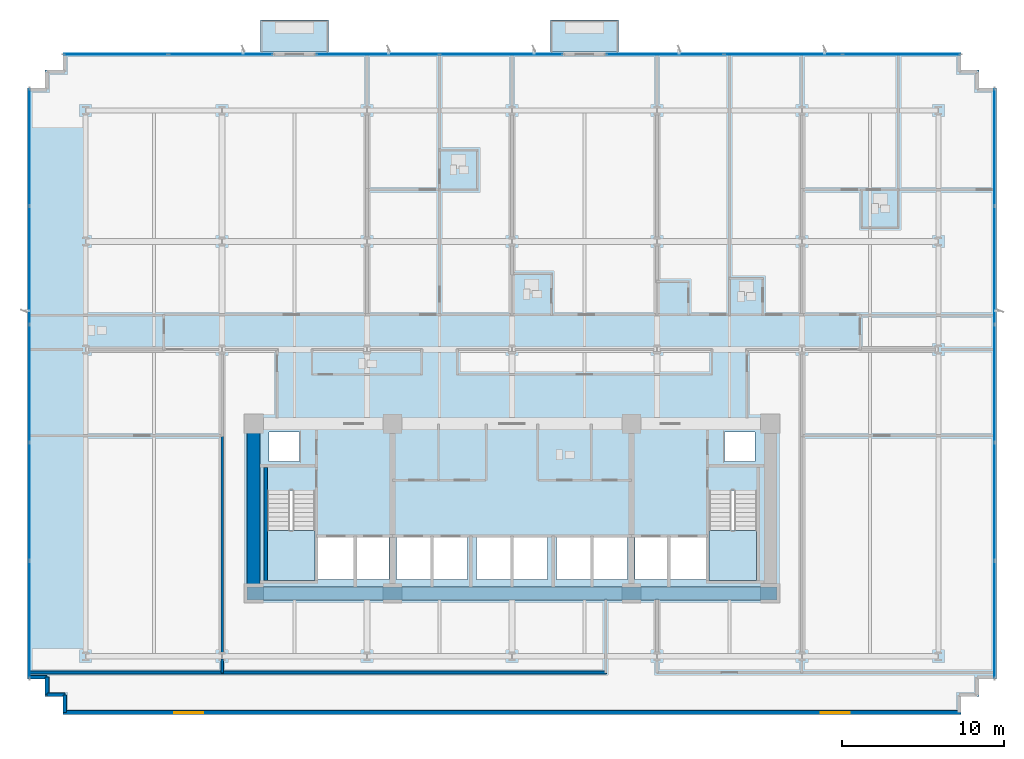
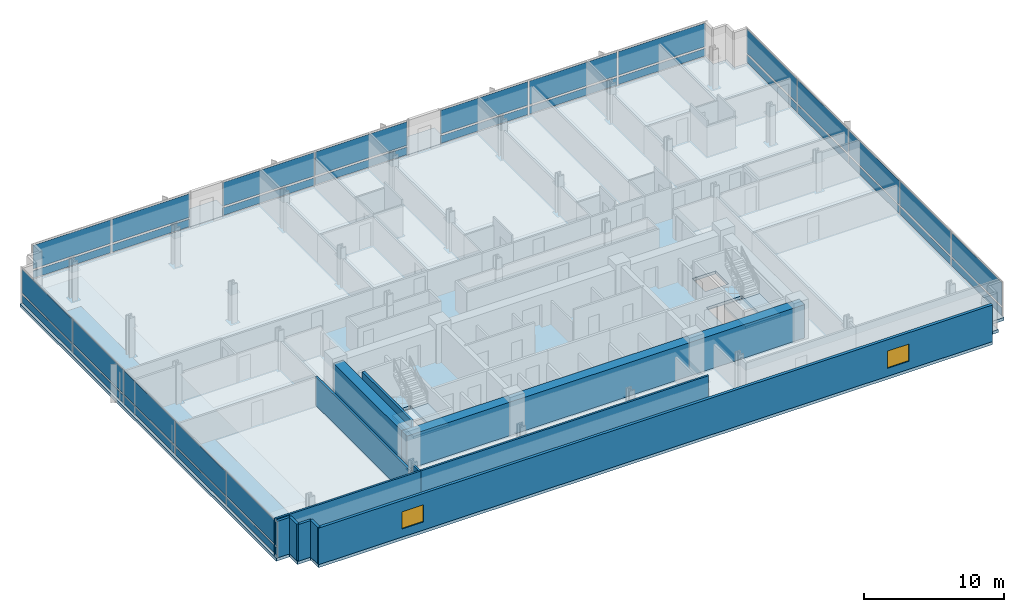
# One storey, part 7 of 17: 34 plates, 12 walls, 5 slabs, 2 windows, 2 openings, 7 elements without a shape of their own.
"""IFC4 building model written with IfcOpenShell, lengths in metres."""

from ifc_helpers import new_model, si_unit, direction, frame, frame_2d, origin, origin_2d, place, context, subcontext, project, spatial, polyline, rectangle, outline, extrude, material, layer, layer_set, type_object, element, fill, aggregate, save


model = new_model("IFC4")

# Units and contexts
model_context = context("Model", 3, precision=1e-05, world=origin(), true_north=direction((0.0, 1.0)))
body_context = subcontext(model_context, "Body", "Model", "MODEL_VIEW")
ifc_project = project(units=[si_unit("LENGTHUNIT", "METRE"), si_unit("AREAUNIT", "SQUARE_METRE"), si_unit("VOLUMEUNIT", "CUBIC_METRE"), si_unit("PLANEANGLEUNIT", "RADIAN"), si_unit("MASSUNIT", "GRAM", prefix="KILO")], contexts=[model_context])

# Site, building, storey
site_placement = place(None, origin())
site = spatial("IfcSite", under=ifc_project, at=site_placement, CompositionType="ELEMENT")
building_placement = place(site_placement, origin())
building = spatial("IfcBuilding", under=site, at=building_placement, Name="Solmavex Isthmus Hotel", CompositionType="ELEMENT")
storey_placement = place(building_placement, frame((0.0, 0.0, 47.10009765625)))
storey = spatial("IfcBuildingStorey", under=building, at=storey_placement, Name="L12", CompositionType="ELEMENT", Elevation=47.10009765625)

# Curtain wall, plates
ifc_material_1 = material(Name="Aluminium alloy 6063-T6", Category="aluminium")
curtain_wall_type = type_object("IfcCurtainWallType", Name="CW-SYS-02", PredefinedType="NOTDEFINED", material=ifc_material_1)
curtain_wall_1_placement = place(storey_placement, origin())
curtain_wall_1 = element("IfcCurtainWall", 1, at=curtain_wall_1_placement, inside=storey, type_object=curtain_wall_type, Name="Stick Curtain Wall CWL-L12-N1", PredefinedType="NOTDEFINED")
ifc_material_2 = material(Name="Clear low-E laminated glass", Category="glass")
ifc_layer_1 = layer(ifc_material_2, 0.031982421875)
ifc_layer_set_1 = layer_set([ifc_layer_1], Name="Clear low-E laminated glass")
plate_type = type_object("IfcPlateType", Name="CW-SYS-02-PNL", PredefinedType="CURTAIN_PANEL", material=ifc_layer_set_1)
plate_1_placement = place(storey_placement, frame((-24.522216796875, 20.3798828125, 0.16015625), z_axis=(0.0, 0.0, 1.0), x_axis=(1.0, 0.0, 0.0)))
plate_1 = element("IfcPlate", 2, at=plate_1_placement, type_object=plate_type, Name="CW-02 panel 1.1", PredefinedType="CURTAIN_PANEL", context=body_context, shape_type="SweptSolid", body=[
    extrude(rectangle(XDim=6.405517578125, YDim=0.031982421875, at=origin_2d()), origin(), (0.0, 0.0, 1.0), 0.659912109375),
])
plate_2_placement = place(storey_placement, frame((-24.522216796875, 20.3798828125, 0.97998046875), z_axis=(0.0, 0.0, 1.0), x_axis=(1.0, 0.0, 0.0)))
plate_2 = element("IfcPlate", 3, at=plate_2_placement, type_object=plate_type, Name="CW-02 panel 1.2", PredefinedType="CURTAIN_PANEL", context=body_context, shape_type="SweptSolid", body=[
    extrude(rectangle(XDim=6.405517578125, YDim=0.031982421875, at=origin_2d()), origin(), (0.0, 0.0, 1.0), 2.050048828125),
])
plate_3_placement = place(storey_placement, frame((-18.041748046875, 20.3798828125, 0.16015625), z_axis=(0.0, 0.0, 1.0), x_axis=(1.0, 0.0, 0.0)))
plate_3 = element("IfcPlate", 4, at=plate_3_placement, type_object=plate_type, Name="CW-02 panel 2.1", PredefinedType="CURTAIN_PANEL", context=body_context, shape_type="SweptSolid", body=[
    extrude(rectangle(XDim=6.405517578125, YDim=0.031982421875, at=origin_2d()), origin(), (0.0, 0.0, 1.0), 0.659912109375),
])
plate_4_placement = place(storey_placement, frame((-18.041748046875, 20.3798828125, 0.97998046875), z_axis=(0.0, 0.0, 1.0), x_axis=(1.0, 0.0, 0.0)))
plate_4 = element("IfcPlate", 5, at=plate_4_placement, type_object=plate_type, Name="CW-02 panel 2.2", PredefinedType="CURTAIN_PANEL", context=body_context, shape_type="SweptSolid", body=[
    extrude(rectangle(XDim=6.405517578125, YDim=0.031982421875, at=origin_2d()), origin(), (0.0, 0.0, 1.0), 2.050048828125),
])
aggregate(curtain_wall_1, [plate_1, plate_2, plate_3, plate_4])

curtain_wall_2_placement = place(storey_placement, origin())
curtain_wall_2 = element("IfcCurtainWall", 6, at=curtain_wall_2_placement, inside=storey, type_object=curtain_wall_type, Name="Stick Curtain Wall CWL-L12-N2", PredefinedType="NOTDEFINED")
plate_5_placement = place(storey_placement, frame((-8.30712890625, 20.3798828125, 0.16015625), z_axis=(0.0, 0.0, 1.0), x_axis=(1.0, 0.0, 0.0)))
plate_5 = element("IfcPlate", 7, at=plate_5_placement, type_object=plate_type, Name="CW-02 panel 1.1", PredefinedType="CURTAIN_PANEL", context=body_context, shape_type="SweptSolid", body=[
    extrude(rectangle(XDim=7.5634765625, YDim=0.031982421875, at=origin_2d()), origin(), (0.0, 0.0, 1.0), 0.659912109375),
])
plate_6_placement = place(storey_placement, frame((-8.30712890625, 20.3798828125, 0.97998046875), z_axis=(0.0, 0.0, 1.0), x_axis=(1.0, 0.0, 0.0)))
plate_6 = element("IfcPlate", 8, at=plate_6_placement, type_object=plate_type, Name="CW-02 panel 1.2", PredefinedType="CURTAIN_PANEL", context=body_context, shape_type="SweptSolid", body=[
    extrude(rectangle(XDim=7.5634765625, YDim=0.031982421875, at=origin_2d()), origin(), (0.0, 0.0, 1.0), 2.050048828125),
])
plate_7_placement = place(storey_placement, frame((-0.668701171875, 20.3798828125, 0.16015625), z_axis=(0.0, 0.0, 1.0), x_axis=(1.0, 0.0, 0.0)))
plate_7 = element("IfcPlate", 9, at=plate_7_placement, type_object=plate_type, Name="CW-02 panel 2.1", PredefinedType="CURTAIN_PANEL", context=body_context, shape_type="SweptSolid", body=[
    extrude(rectangle(XDim=7.5634765625, YDim=0.031982421875, at=origin_2d()), origin(), (0.0, 0.0, 1.0), 0.659912109375),
])
plate_8_placement = place(storey_placement, frame((-0.668701171875, 20.3798828125, 0.97998046875), z_axis=(0.0, 0.0, 1.0), x_axis=(1.0, 0.0, 0.0)))
plate_8 = element("IfcPlate", 10, at=plate_8_placement, type_object=plate_type, Name="CW-02 panel 2.2", PredefinedType="CURTAIN_PANEL", context=body_context, shape_type="SweptSolid", body=[
    extrude(rectangle(XDim=7.5634765625, YDim=0.031982421875, at=origin_2d()), origin(), (0.0, 0.0, 1.0), 2.050048828125),
])
aggregate(curtain_wall_2, [plate_5, plate_6, plate_7, plate_8])

curtain_wall_3_placement = place(storey_placement, origin())
curtain_wall_3 = element("IfcCurtainWall", 11, at=curtain_wall_3_placement, inside=storey, type_object=curtain_wall_type, Name="Stick Curtain Wall CWL-L12-N3", PredefinedType="NOTDEFINED")
plate_9_placement = place(storey_placement, frame((9.475341796875, 20.3798828125, 0.16015625), z_axis=(0.0, 0.0, 1.0), x_axis=(1.0, 0.0, 0.0)))
plate_9 = element("IfcPlate", 12, at=plate_9_placement, type_object=plate_type, Name="CW-02 panel 1.1", PredefinedType="CURTAIN_PANEL", context=body_context, shape_type="SweptSolid", body=[
    extrude(rectangle(XDim=7.224853515625, YDim=0.031982421875, at=origin_2d()), origin(), (0.0, 0.0, 1.0), 0.659912109375),
])
plate_10_placement = place(storey_placement, frame((9.475341796875, 20.3798828125, 0.97998046875), z_axis=(0.0, 0.0, 1.0), x_axis=(1.0, 0.0, 0.0)))
plate_10 = element("IfcPlate", 13, at=plate_10_placement, type_object=plate_type, Name="CW-02 panel 1.2", PredefinedType="CURTAIN_PANEL", context=body_context, shape_type="SweptSolid", body=[
    extrude(rectangle(XDim=7.224853515625, YDim=0.031982421875, at=origin_2d()), origin(), (0.0, 0.0, 1.0), 2.050048828125),
])
plate_11_placement = place(storey_placement, frame((16.7939453125, 20.3798828125, 0.16015625), z_axis=(0.0, 0.0, 1.0), x_axis=(1.0, 0.0, 0.0)))
plate_11 = element("IfcPlate", 14, at=plate_11_placement, type_object=plate_type, Name="CW-02 panel 2.1", PredefinedType="CURTAIN_PANEL", context=body_context, shape_type="SweptSolid", body=[
    extrude(rectangle(XDim=7.262451171875, YDim=0.031982421875, at=origin_2d()), origin(), (0.0, 0.0, 1.0), 0.659912109375),
])
plate_12_placement = place(storey_placement, frame((16.7939453125, 20.3798828125, 0.97998046875), z_axis=(0.0, 0.0, 1.0), x_axis=(1.0, 0.0, 0.0)))
plate_12 = element("IfcPlate", 15, at=plate_12_placement, type_object=plate_type, Name="CW-02 panel 2.2", PredefinedType="CURTAIN_PANEL", context=body_context, shape_type="SweptSolid", body=[
    extrude(rectangle(XDim=7.262451171875, YDim=0.031982421875, at=origin_2d()), origin(), (0.0, 0.0, 1.0), 2.050048828125),
])
plate_13_placement = place(storey_placement, frame((24.112548828125, 20.3798828125, 0.16015625), z_axis=(0.0, 0.0, 1.0), x_axis=(1.0, 0.0, 0.0)))
plate_13 = element("IfcPlate", 16, at=plate_13_placement, type_object=plate_type, Name="CW-02 panel 3.1", PredefinedType="CURTAIN_PANEL", context=body_context, shape_type="SweptSolid", body=[
    extrude(rectangle(XDim=7.224853515625, YDim=0.031982421875, at=origin_2d()), origin(), (0.0, 0.0, 1.0), 0.659912109375),
])
plate_14_placement = place(storey_placement, frame((24.112548828125, 20.3798828125, 0.97998046875), z_axis=(0.0, 0.0, 1.0), x_axis=(1.0, 0.0, 0.0)))
plate_14 = element("IfcPlate", 17, at=plate_14_placement, type_object=plate_type, Name="CW-02 panel 3.2", PredefinedType="CURTAIN_PANEL", context=body_context, shape_type="SweptSolid", body=[
    extrude(rectangle(XDim=7.224853515625, YDim=0.031982421875, at=origin_2d()), origin(), (0.0, 0.0, 1.0), 2.050048828125),
])
aggregate(curtain_wall_3, [plate_9, plate_10, plate_11, plate_12, plate_13, plate_14])

curtain_wall_4_placement = place(storey_placement, origin())
curtain_wall_4 = element("IfcCurtainWall", 18, at=curtain_wall_4_placement, inside=storey, type_object=curtain_wall_type, Name="Stick Curtain Wall CWL-L12-W1", PredefinedType="NOTDEFINED")
plate_15_placement = place(storey_placement, frame((-29.8798828125, -14.621337890625, 0.16015625), z_axis=(0.0, 0.0, 1.0), x_axis=(0.0, 1.0, 0.0)))
plate_15 = element("IfcPlate", 19, at=plate_15_placement, type_object=plate_type, Name="CW-02 panel 1.1", PredefinedType="CURTAIN_PANEL", context=body_context, shape_type="SweptSolid", body=[
    extrude(rectangle(XDim=7.20751953125, YDim=0.031982421875, at=origin_2d()), origin(), (0.0, 0.0, 1.0), 0.659912109375),
])
plate_16_placement = place(storey_placement, frame((-29.8798828125, -14.621337890625, 0.97998046875), z_axis=(0.0, 0.0, 1.0), x_axis=(0.0, 1.0, 0.0)))
plate_16 = element("IfcPlate", 20, at=plate_16_placement, type_object=plate_type, Name="CW-02 panel 1.2", PredefinedType="CURTAIN_PANEL", context=body_context, shape_type="SweptSolid", body=[
    extrude(rectangle(XDim=7.20751953125, YDim=0.031982421875, at=origin_2d()), origin(), (0.0, 0.0, 1.0), 2.050048828125),
])
plate_17_placement = place(storey_placement, frame((-29.8798828125, -7.320068359375, 0.16015625), z_axis=(0.0, 0.0, 1.0), x_axis=(0.0, 1.0, 0.0)))
plate_17 = element("IfcPlate", 21, at=plate_17_placement, type_object=plate_type, Name="CW-02 panel 2.1", PredefinedType="CURTAIN_PANEL", context=body_context, shape_type="SweptSolid", body=[
    extrude(rectangle(XDim=7.2451171875, YDim=0.031982421875, at=origin_2d()), origin(), (0.0, 0.0, 1.0), 0.659912109375),
])
plate_18_placement = place(storey_placement, frame((-29.8798828125, -7.320068359375, 0.97998046875), z_axis=(0.0, 0.0, 1.0), x_axis=(0.0, 1.0, 0.0)))
plate_18 = element("IfcPlate", 22, at=plate_18_placement, type_object=plate_type, Name="CW-02 panel 2.2", PredefinedType="CURTAIN_PANEL", context=body_context, shape_type="SweptSolid", body=[
    extrude(rectangle(XDim=7.2451171875, YDim=0.031982421875, at=origin_2d()), origin(), (0.0, 0.0, 1.0), 2.050048828125),
])
plate_19_placement = place(storey_placement, frame((-29.8798828125, 0.0, 0.16015625), z_axis=(0.0, 0.0, 1.0), x_axis=(0.0, 1.0, 0.0)))
plate_19 = element("IfcPlate", 23, at=plate_19_placement, type_object=plate_type, Name="CW-02 panel 3.1", PredefinedType="CURTAIN_PANEL", context=body_context, shape_type="SweptSolid", body=[
    extrude(rectangle(XDim=7.2451171875, YDim=0.031982421875, at=origin_2d()), origin(), (0.0, 0.0, 1.0), 0.659912109375),
])
plate_20_placement = place(storey_placement, frame((-29.8798828125, 0.0, 0.97998046875), z_axis=(0.0, 0.0, 1.0), x_axis=(0.0, 1.0, 0.0)))
plate_20 = element("IfcPlate", 24, at=plate_20_placement, type_object=plate_type, Name="CW-02 panel 3.2", PredefinedType="CURTAIN_PANEL", context=body_context, shape_type="SweptSolid", body=[
    extrude(rectangle(XDim=7.2451171875, YDim=0.031982421875, at=origin_2d()), origin(), (0.0, 0.0, 1.0), 2.050048828125),
])
plate_21_placement = place(storey_placement, frame((-29.8798828125, 7.320068359375, 0.16015625), z_axis=(0.0, 0.0, 1.0), x_axis=(0.0, 1.0, 0.0)))
plate_21 = element("IfcPlate", 25, at=plate_21_placement, type_object=plate_type, Name="CW-02 panel 4.1", PredefinedType="CURTAIN_PANEL", context=body_context, shape_type="SweptSolid", body=[
    extrude(rectangle(XDim=7.2451171875, YDim=0.031982421875, at=origin_2d()), origin(), (0.0, 0.0, 1.0), 0.659912109375),
])
plate_22_placement = place(storey_placement, frame((-29.8798828125, 7.320068359375, 0.97998046875), z_axis=(0.0, 0.0, 1.0), x_axis=(0.0, 1.0, 0.0)))
plate_22 = element("IfcPlate", 26, at=plate_22_placement, type_object=plate_type, Name="CW-02 panel 4.2", PredefinedType="CURTAIN_PANEL", context=body_context, shape_type="SweptSolid", body=[
    extrude(rectangle(XDim=7.2451171875, YDim=0.031982421875, at=origin_2d()), origin(), (0.0, 0.0, 1.0), 2.050048828125),
])
plate_23_placement = place(storey_placement, frame((-29.8798828125, 14.621337890625, 0.16015625), z_axis=(0.0, 0.0, 1.0), x_axis=(0.0, 1.0, 0.0)))
plate_23 = element("IfcPlate", 27, at=plate_23_placement, type_object=plate_type, Name="CW-02 panel 5.1", PredefinedType="CURTAIN_PANEL", context=body_context, shape_type="SweptSolid", body=[
    extrude(rectangle(XDim=7.20751953125, YDim=0.031982421875, at=origin_2d()), origin(), (0.0, 0.0, 1.0), 0.659912109375),
])
plate_24_placement = place(storey_placement, frame((-29.8798828125, 14.621337890625, 0.97998046875), z_axis=(0.0, 0.0, 1.0), x_axis=(0.0, 1.0, 0.0)))
plate_24 = element("IfcPlate", 28, at=plate_24_placement, type_object=plate_type, Name="CW-02 panel 5.2", PredefinedType="CURTAIN_PANEL", context=body_context, shape_type="SweptSolid", body=[
    extrude(rectangle(XDim=7.20751953125, YDim=0.031982421875, at=origin_2d()), origin(), (0.0, 0.0, 1.0), 2.050048828125),
])
aggregate(curtain_wall_4, [plate_15, plate_16, plate_17, plate_18, plate_19, plate_20, plate_21, plate_22, plate_23, plate_24])

curtain_wall_5_placement = place(storey_placement, origin())
curtain_wall_5 = element("IfcCurtainWall", 29, at=curtain_wall_5_placement, inside=storey, type_object=curtain_wall_type, Name="Stick Curtain Wall CWL-L12-E1", PredefinedType="NOTDEFINED")
plate_25_placement = place(storey_placement, frame((29.8798828125, -14.621337890625, 0.16015625), z_axis=(0.0, 0.0, 1.0), x_axis=(0.0, 1.0, 0.0)))
plate_25 = element("IfcPlate", 30, at=plate_25_placement, type_object=plate_type, Name="CW-02 panel 1.1", PredefinedType="CURTAIN_PANEL", context=body_context, shape_type="SweptSolid", body=[
    extrude(rectangle(XDim=7.20751953125, YDim=0.031982421875, at=origin_2d()), origin(), (0.0, 0.0, 1.0), 0.659912109375),
])
plate_26_placement = place(storey_placement, frame((29.8798828125, -14.621337890625, 0.97998046875), z_axis=(0.0, 0.0, 1.0), x_axis=(0.0, 1.0, 0.0)))
plate_26 = element("IfcPlate", 31, at=plate_26_placement, type_object=plate_type, Name="CW-02 panel 1.2", PredefinedType="CURTAIN_PANEL", context=body_context, shape_type="SweptSolid", body=[
    extrude(rectangle(XDim=7.20751953125, YDim=0.031982421875, at=origin_2d()), origin(), (0.0, 0.0, 1.0), 2.050048828125),
])
plate_27_placement = place(storey_placement, frame((29.8798828125, -7.320068359375, 0.16015625), z_axis=(0.0, 0.0, 1.0), x_axis=(0.0, 1.0, 0.0)))
plate_27 = element("IfcPlate", 32, at=plate_27_placement, type_object=plate_type, Name="CW-02 panel 2.1", PredefinedType="CURTAIN_PANEL", context=body_context, shape_type="SweptSolid", body=[
    extrude(rectangle(XDim=7.2451171875, YDim=0.031982421875, at=origin_2d()), origin(), (0.0, 0.0, 1.0), 0.659912109375),
])
plate_28_placement = place(storey_placement, frame((29.8798828125, -7.320068359375, 0.97998046875), z_axis=(0.0, 0.0, 1.0), x_axis=(0.0, 1.0, 0.0)))
plate_28 = element("IfcPlate", 33, at=plate_28_placement, type_object=plate_type, Name="CW-02 panel 2.2", PredefinedType="CURTAIN_PANEL", context=body_context, shape_type="SweptSolid", body=[
    extrude(rectangle(XDim=7.2451171875, YDim=0.031982421875, at=origin_2d()), origin(), (0.0, 0.0, 1.0), 2.050048828125),
])
plate_29_placement = place(storey_placement, frame((29.8798828125, 0.0, 0.16015625), z_axis=(0.0, 0.0, 1.0), x_axis=(0.0, 1.0, 0.0)))
plate_29 = element("IfcPlate", 34, at=plate_29_placement, type_object=plate_type, Name="CW-02 panel 3.1", PredefinedType="CURTAIN_PANEL", context=body_context, shape_type="SweptSolid", body=[
    extrude(rectangle(XDim=7.2451171875, YDim=0.031982421875, at=origin_2d()), origin(), (0.0, 0.0, 1.0), 0.659912109375),
])
plate_30_placement = place(storey_placement, frame((29.8798828125, 0.0, 0.97998046875), z_axis=(0.0, 0.0, 1.0), x_axis=(0.0, 1.0, 0.0)))
plate_30 = element("IfcPlate", 35, at=plate_30_placement, type_object=plate_type, Name="CW-02 panel 3.2", PredefinedType="CURTAIN_PANEL", context=body_context, shape_type="SweptSolid", body=[
    extrude(rectangle(XDim=7.2451171875, YDim=0.031982421875, at=origin_2d()), origin(), (0.0, 0.0, 1.0), 2.050048828125),
])
plate_31_placement = place(storey_placement, frame((29.8798828125, 7.320068359375, 0.16015625), z_axis=(0.0, 0.0, 1.0), x_axis=(0.0, 1.0, 0.0)))
plate_31 = element("IfcPlate", 36, at=plate_31_placement, type_object=plate_type, Name="CW-02 panel 4.1", PredefinedType="CURTAIN_PANEL", context=body_context, shape_type="SweptSolid", body=[
    extrude(rectangle(XDim=7.2451171875, YDim=0.031982421875, at=origin_2d()), origin(), (0.0, 0.0, 1.0), 0.659912109375),
])
plate_32_placement = place(storey_placement, frame((29.8798828125, 7.320068359375, 0.97998046875), z_axis=(0.0, 0.0, 1.0), x_axis=(0.0, 1.0, 0.0)))
plate_32 = element("IfcPlate", 37, at=plate_32_placement, type_object=plate_type, Name="CW-02 panel 4.2", PredefinedType="CURTAIN_PANEL", context=body_context, shape_type="SweptSolid", body=[
    extrude(rectangle(XDim=7.2451171875, YDim=0.031982421875, at=origin_2d()), origin(), (0.0, 0.0, 1.0), 2.050048828125),
])
plate_33_placement = place(storey_placement, frame((29.8798828125, 14.621337890625, 0.16015625), z_axis=(0.0, 0.0, 1.0), x_axis=(0.0, 1.0, 0.0)))
plate_33 = element("IfcPlate", 38, at=plate_33_placement, type_object=plate_type, Name="CW-02 panel 5.1", PredefinedType="CURTAIN_PANEL", context=body_context, shape_type="SweptSolid", body=[
    extrude(rectangle(XDim=7.20751953125, YDim=0.031982421875, at=origin_2d()), origin(), (0.0, 0.0, 1.0), 0.659912109375),
])
plate_34_placement = place(storey_placement, frame((29.8798828125, 14.621337890625, 0.97998046875), z_axis=(0.0, 0.0, 1.0), x_axis=(0.0, 1.0, 0.0)))
plate_34 = element("IfcPlate", 39, at=plate_34_placement, type_object=plate_type, Name="CW-02 panel 5.2", PredefinedType="CURTAIN_PANEL", context=body_context, shape_type="SweptSolid", body=[
    extrude(rectangle(XDim=7.20751953125, YDim=0.031982421875, at=origin_2d()), origin(), (0.0, 0.0, 1.0), 2.050048828125),
])
aggregate(curtain_wall_5, [plate_25, plate_26, plate_27, plate_28, plate_29, plate_30, plate_31, plate_32, plate_33, plate_34])

# Slabs
ifc_material_3 = material(Name="Concrete C40/50", Category="concrete")
ifc_layer_2 = layer(ifc_material_3, 0.239990234375)
ifc_layer_set_2 = layer_set([ifc_layer_2], Name="Concrete C40/50")
slab_type_1 = type_object("IfcSlabType", Name="SLAB-BALC-240", PredefinedType="FLOOR", material=ifc_layer_set_2)
slab_1_placement = place(storey_placement, frame((0.0, 0.0, -0.239990234375)))
element("IfcSlab", 40, at=slab_1_placement, inside=storey, type_object=slab_type_1, Name="Tree-Planter Balcony Slab L12-B1", PredefinedType="FLOOR", context=body_context, shape_type="SweptSolid", body=[
    extrude(outline(polyline([(-15.56396484375, 20.514892578125), (-11.364013671875, 20.514892578125), (-11.364013671875, 22.5), (-15.56396484375, 22.5), (-15.56396484375, 20.514892578125)])), origin(), (0.0, 0.0, 1.0), 0.239990234375),
])
slab_2_placement = place(storey_placement, frame((0.0, 0.0, -0.239990234375)))
element("IfcSlab", 41, at=slab_2_placement, inside=storey, type_object=slab_type_1, Name="Tree-Planter Balcony Slab L12-B2", PredefinedType="FLOOR", context=body_context, shape_type="SweptSolid", body=[
    extrude(outline(polyline([(2.387939453125, 20.514892578125), (6.587890625, 20.514892578125), (6.587890625, 22.5), (2.387939453125, 22.5), (2.387939453125, 20.514892578125)])), origin(), (0.0, 0.0, 1.0), 0.239990234375),
])
ifc_layer_3 = layer(ifc_material_3, 0.260009765625)
ifc_layer_set_3 = layer_set([ifc_layer_3], Name="Concrete C40/50")
slab_type_2 = type_object("IfcSlabType", Name="SLAB-TYP-260", PredefinedType="FLOOR", material=ifc_layer_set_3)
slab_3_placement = place(storey_placement, frame((0.0, 0.0, -0.260009765625)))
element("IfcSlab", 42, at=slab_3_placement, inside=storey, type_object=slab_type_2, Name="Tower Structural Floor Slab L12", PredefinedType="FLOOR", context=body_context, shape_type="SweptSolid", body=[
    extrude(outline(polyline([(-26.699951171875, -20.5), (26.699951171875, -20.5), (27.800048828125, -20.5), (27.800048828125, -19.39990234375), (28.89990234375, -19.39990234375), (28.89990234375, -18.300048828125), (30.0, -18.300048828125), (30.0, -17.199951171875), (30.0, 17.199951171875), (30.0, 18.300048828125), (28.89990234375, 18.300048828125), (28.89990234375, 19.39990234375), (27.800048828125, 19.39990234375), (27.800048828125, 20.5), (26.699951171875, 20.5), (-26.699951171875, 20.5), (-27.800048828125, 20.5), (-27.800048828125, 19.39990234375), (-28.89990234375, 19.39990234375), (-28.89990234375, 18.300048828125), (-30.0, 18.300048828125), (-30.0, 17.199951171875), (-30.0, -17.199951171875), (-30.0, -18.300048828125), (-28.89990234375, -18.300048828125), (-28.89990234375, -19.39990234375), (-27.800048828125, -19.39990234375), (-27.800048828125, -20.5), (-26.699951171875, -20.5)]), holes=[polyline([(-15.14990234375, -6.617919921875), (-15.14990234375, -12.199951171875), (-12.199951171875, -12.199951171875), (-12.199951171875, -6.617919921875), (-15.14990234375, -6.617919921875)]), polyline([(12.199951171875, -6.617919921875), (12.199951171875, -12.199951171875), (15.14990234375, -12.199951171875), (15.14990234375, -6.617919921875), (12.199951171875, -6.617919921875)]), polyline([(-12.0, -12.14990234375), (-9.800048828125, -12.14990234375), (-9.800048828125, -9.550048828125), (-12.0, -9.550048828125), (-12.0, -12.14990234375)]), polyline([(9.800048828125, -12.14990234375), (12.0, -12.14990234375), (12.0, -9.550048828125), (9.800048828125, -9.550048828125), (9.800048828125, -12.14990234375)]), polyline([(-9.60009765625, -12.14990234375), (-7.60009765625, -12.14990234375), (-7.60009765625, -9.550048828125), (-9.60009765625, -9.550048828125), (-9.60009765625, -12.14990234375)]), polyline([(7.60009765625, -12.14990234375), (9.60009765625, -12.14990234375), (9.60009765625, -9.550048828125), (7.60009765625, -9.550048828125), (7.60009765625, -12.14990234375)]), polyline([(-7.14990234375, -12.14990234375), (-5.050048828125, -12.14990234375), (-5.050048828125, -9.550048828125), (-7.14990234375, -9.550048828125), (-7.14990234375, -12.14990234375)]), polyline([(-4.85009765625, -12.14990234375), (-2.75, -12.14990234375), (-2.75, -9.550048828125), (-4.85009765625, -9.550048828125), (-4.85009765625, -12.14990234375)]), polyline([(-2.199951171875, -12.14990234375), (-0.10009765625, -12.14990234375), (-0.10009765625, -9.550048828125), (-2.199951171875, -9.550048828125), (-2.199951171875, -12.14990234375)]), polyline([(0.10009765625, -12.14990234375), (2.199951171875, -12.14990234375), (2.199951171875, -9.550048828125), (0.10009765625, -9.550048828125), (0.10009765625, -12.14990234375)]), polyline([(2.75, -12.14990234375), (4.85009765625, -12.14990234375), (4.85009765625, -9.550048828125), (2.75, -9.550048828125), (2.75, -12.14990234375)]), polyline([(5.050048828125, -12.14990234375), (7.14990234375, -12.14990234375), (7.14990234375, -9.550048828125), (5.050048828125, -9.550048828125), (5.050048828125, -12.14990234375)]), polyline([(-15.050048828125, -4.85009765625), (-13.14990234375, -4.85009765625), (-13.14990234375, -3.0), (-15.050048828125, -3.0), (-15.050048828125, -4.85009765625)]), polyline([(13.14990234375, -4.85009765625), (15.050048828125, -4.85009765625), (15.050048828125, -3.0), (13.14990234375, -3.0), (13.14990234375, -4.85009765625)])]), origin(), (0.0, 0.0, 1.0), 0.260009765625),
])

# Stair, slab
stair_type_1 = type_object("IfcStairType", Name="STR-ST-1", PredefinedType="HALF_TURN_STAIR", material=ifc_material_3)
stair_1_placement = place(storey_placement, origin())
stair_1 = element("IfcStair", 43, at=stair_1_placement, inside=storey, type_object=stair_type_1, Name="L12 Protected Exit Stair ST-1", PredefinedType="HALF_TURN_STAIR")
ifc_layer_4 = layer(ifc_material_3, 0.219970703125)
ifc_layer_set_4 = layer_set([ifc_layer_4], Name="Concrete C40/50")
slab_type_3 = type_object("IfcSlabType", Name="SLD-ST-1", PredefinedType="LANDING", material=ifc_layer_set_4)
slab_4_placement = place(storey_placement, frame((0.0, 0.0, 1.52490234375)))
slab_4 = element("IfcSlab", 44, at=slab_4_placement, type_object=slab_type_3, Name="ST-1 landing 1", PredefinedType="LANDING", context=body_context, shape_type="SweptSolid", body=[
    extrude(outline(polyline([(-15.14990234375, -9.1201171875), (-15.14990234375, -12.199951171875), (-12.199951171875, -12.199951171875), (-12.199951171875, -9.1201171875), (-15.14990234375, -9.1201171875)])), origin(), (0.0, 0.0, 1.0), 0.199951171875),
])
aggregate(stair_1, [slab_4])

stair_type_2 = type_object("IfcStairType", Name="STR-ST-2", PredefinedType="HALF_TURN_STAIR", material=ifc_material_3)
stair_2_placement = place(storey_placement, origin())
stair_2 = element("IfcStair", 45, at=stair_2_placement, inside=storey, type_object=stair_type_2, Name="L12 Protected Exit Stair ST-2", PredefinedType="HALF_TURN_STAIR")
ifc_layer_5 = layer(ifc_material_3, 0.219970703125)
ifc_layer_set_5 = layer_set([ifc_layer_5], Name="Concrete C40/50")
slab_type_4 = type_object("IfcSlabType", Name="SLD-ST-2", PredefinedType="LANDING", material=ifc_layer_set_5)
slab_5_placement = place(storey_placement, frame((0.0, 0.0, 1.52490234375)))
slab_5 = element("IfcSlab", 46, at=slab_5_placement, type_object=slab_type_4, Name="ST-2 landing 1", PredefinedType="LANDING", context=body_context, shape_type="SweptSolid", body=[
    extrude(outline(polyline([(12.199951171875, -9.1201171875), (12.199951171875, -12.199951171875), (15.14990234375, -12.199951171875), (15.14990234375, -9.1201171875), (12.199951171875, -9.1201171875)])), origin(), (0.0, 0.0, 1.0), 0.199951171875),
])
aggregate(stair_2, [slab_5])

# Wall, openings, windows
ifc_material_4 = material(Name="Precast Concrete C40/50", Category="concrete")
ifc_layer_6 = layer(ifc_material_4, 0.25)
ifc_layer_set_6 = layer_set([ifc_layer_6], Name="Precast Concrete C40/50")
wall_type_1 = type_object("IfcWallType", Name="EW-TWR-250", PredefinedType="STANDARD", material=ifc_layer_set_6)
wall_1_placement = place(storey_placement, frame((-27.800048828125, -20.3798828125, 0.0), z_axis=(0.0, 0.0, 1.0), x_axis=(1.0, 0.0, 0.0)))
wall_1 = element("IfcWall", 47, at=wall_1_placement, inside=storey, type_object=wall_type_1, Name="Tower Rear South Facade Wall L12", PredefinedType="STANDARD", context=body_context, shape_type="SweptSolid", body=[
    extrude(rectangle(XDim=55.60009765625, YDim=0.239990234375, at=frame_2d((27.800048828125, 0.0))), origin(), (0.0, 0.0, 1.0), 3.18994140625),
])
opening_1_placement = place(wall_1_placement, frame((6.884033203125, 0.0, 0.699951171875)))
opening_1 = element("IfcOpeningElement", 48, at=opening_1_placement, cuts=wall_1, Name="Opening WN-02", PredefinedType="OPENING", context=body_context, shape_type="SweptSolid", body=[
    extrude(rectangle(XDim=1.800048828125, YDim=1.5, at=frame_2d((0.89990234375, 0.75))), frame((0.0, 0.1298828125, 0.0), z_axis=(0.0, -1.0, 0.0), x_axis=(1.0, 0.0, 0.0)), (0.0, 0.0, 1.0), 0.260009765625),
])
opening_2_placement = place(wall_1_placement, frame((46.916015625, 0.0, 0.699951171875)))
opening_2 = element("IfcOpeningElement", 49, at=opening_2_placement, cuts=wall_1, Name="Opening WN-02", PredefinedType="OPENING", context=body_context, shape_type="SweptSolid", body=[
    extrude(rectangle(XDim=1.800048828125, YDim=1.5, at=frame_2d((0.89990234375, 0.75))), frame((0.0, 0.1298828125, 0.0), z_axis=(0.0, -1.0, 0.0), x_axis=(1.0, 0.0, 0.0)), (0.0, 0.0, 1.0), 0.260009765625),
])
window_type = type_object("IfcWindowType", Name="WIN-TWR-1800", PartitioningType="SINGLE_PANEL", PredefinedType="WINDOW", material=ifc_material_2)
window_1_placement = place(opening_1_placement, origin())
window_1 = element("IfcWindow", 50, at=window_1_placement, inside=storey, type_object=window_type, Name="South Facade Vision Window L12-S1", OverallHeight=1.5, OverallWidth=1.800048828125, PartitioningType="SINGLE_PANEL", PredefinedType="WINDOW", context=body_context, shape_type="SweptSolid", body=[
    extrude(rectangle(XDim=1.800048828125, YDim=1.5, at=frame_2d((0.89990234375, 0.75))), frame((0.0, 0.030029296875, 0.0), z_axis=(0.0, -1.0, 0.0), x_axis=(1.0, 0.0, 0.0)), (0.0, 0.0, 1.0), 0.06005859375),
])
fill(opening_1, window_1)
window_2_placement = place(opening_2_placement, origin())
window_2 = element("IfcWindow", 51, at=window_2_placement, inside=storey, type_object=window_type, Name="South Facade Vision Window L12-S2", OverallHeight=1.5, OverallWidth=1.800048828125, PartitioningType="SINGLE_PANEL", PredefinedType="WINDOW", context=body_context, shape_type="SweptSolid", body=[
    extrude(rectangle(XDim=1.800048828125, YDim=1.5, at=frame_2d((0.89990234375, 0.75))), frame((0.0, 0.030029296875, 0.0), z_axis=(0.0, -1.0, 0.0), x_axis=(1.0, 0.0, 0.0)), (0.0, 0.0, 1.0), 0.06005859375),
])
fill(opening_2, window_2)

# Walls
wall_2_placement = place(storey_placement, frame((-27.68994140625, -20.389892578125, 0.0), z_axis=(0.0, 0.0, 1.0), x_axis=(0.0, 1.0, 0.0)))
element("IfcWall", 52, at=wall_2_placement, inside=storey, type_object=wall_type_1, Name="Serrated Corner Facade Panel L12-01", PredefinedType="STANDARD", context=body_context, shape_type="SweptSolid", body=[
    extrude(rectangle(XDim=1.099853515625, YDim=0.219970703125, at=frame_2d((0.5498046875, 0.0))), origin(), (0.0, 0.0, 1.0), 3.18994140625),
])
for number, where, z_axis, x_axis, name in (
    (53, (-27.68994140625, -19.2900390625, 0.0), (0.0, 0.0, 1.0), (-1.0, 0.0, 0.0), "Serrated Corner Facade Panel L12-02"),
    (54, (-28.7900390625, -19.2900390625, 0.0), (0.0, 0.0, 1.0), (0.0, 1.0, 0.0), "Serrated Corner Facade Panel L12-03"),
):
    element("IfcWall", number, at=place(storey_placement, frame(where, z_axis=z_axis, x_axis=x_axis)), inside=storey, type_object=wall_type_1, Name=name, PredefinedType="STANDARD", context=body_context, shape_type="SweptSolid", body=[
        extrude(rectangle(XDim=1.10009765625, YDim=0.219970703125, at=frame_2d((0.550048828125, 0.0))), origin(), (0.0, 0.0, 1.0), 3.18994140625),
    ])
wall_3_placement = place(storey_placement, frame((-28.7900390625, -18.18994140625, 0.0), z_axis=(0.0, 0.0, 1.0), x_axis=(-1.0, 0.0, 0.0)))
element("IfcWall", 55, at=wall_3_placement, inside=storey, type_object=wall_type_1, Name="Serrated Corner Facade Panel L12-04", PredefinedType="STANDARD", context=body_context, shape_type="SweptSolid", body=[
    extrude(rectangle(XDim=1.099853515625, YDim=0.219970703125, at=frame_2d((0.5498046875, 0.0))), origin(), (0.0, 0.0, 1.0), 3.18994140625),
])
ifc_material_5 = material(Name="Gypsum plasterboard lining", Category="gypsum")
ifc_layer_7 = layer(ifc_material_5, 0.159912109375)
ifc_layer_set_7 = layer_set([ifc_layer_7], Name="Gypsum plasterboard lining")
wall_type_2 = type_object("IfcWallType", Name="IW-COMP-160", PredefinedType="PARTITIONING", material=ifc_layer_set_7)
wall_4_placement = place(storey_placement, frame((5.840087890625, -17.89990234375, 0.0), z_axis=(0.0, 0.0, 1.0), x_axis=(-1.0, 0.0, 0.0)))
element("IfcWall", 56, at=wall_4_placement, inside=storey, type_object=wall_type_2, Name="Interior Partition Wall W-L12-P087", PredefinedType="PARTITIONING", context=body_context, shape_type="SweptSolid", body=[
    extrude(rectangle(XDim=23.83203125, YDim=0.159912109375, at=frame_2d((11.916015625, 0.0))), origin(), (0.0, 0.0, 1.0), 3.18994140625),
])
wall_5_placement = place(storey_placement, frame((-17.951904296875, -16.72509765625, 0.0), z_axis=(0.0, 0.0, 1.0), x_axis=(0.0, 1.0, 0.0)))
element("IfcWall", 57, at=wall_5_placement, inside=storey, type_object=wall_type_2, Name="Interior Partition Wall W-L12-P088", PredefinedType="PARTITIONING", context=body_context, shape_type="SweptSolid", body=[
    extrude(rectangle(XDim=13.55712890625, YDim=0.159912109375, at=frame_2d((6.778564453125, 0.0))), origin(), (0.0, 0.0, 1.0), 2.4794921875),
])
wall_6_placement = place(storey_placement, frame((-17.951904296875, -17.93994140625, 0.0), z_axis=(0.0, 0.0, 1.0), x_axis=(0.0, 1.0, 0.0)))
element("IfcWall", 58, at=wall_6_placement, inside=storey, type_object=wall_type_2, Name="Interior Partition Wall W-L12-P089", PredefinedType="PARTITIONING", context=body_context, shape_type="SweptSolid", body=[
    extrude(rectangle(XDim=0.864990234375, YDim=0.159912109375, at=frame_2d((0.4326171875, 0.0))), origin(), (0.0, 0.0, 1.0), 3.18994140625),
])
wall_7_placement = place(storey_placement, frame((-29.919921875, -17.89990234375, 0.0), z_axis=(0.0, 0.0, 1.0), x_axis=(1.0, 0.0, 0.0)))
element("IfcWall", 59, at=wall_7_placement, inside=storey, type_object=wall_type_2, Name="Interior Partition Wall W-L12-P090", PredefinedType="PARTITIONING", context=body_context, shape_type="SweptSolid", body=[
    extrude(rectangle(XDim=12.0498046875, YDim=0.159912109375, at=frame_2d((6.02490234375, 0.0))), origin(), (0.0, 0.0, 1.0), 3.18994140625),
])
ifc_material_6 = material(Name="Concrete C70/85", Category="concrete")
ifc_layer_8 = layer(ifc_material_6, 0.800048828125)
ifc_layer_set_8 = layer_set([ifc_layer_8], Name="Concrete C70/85")
wall_type_3 = type_object("IfcWallType", Name="WALL-CW-800", PredefinedType="SHEAR", material=ifc_layer_set_8)
wall_8_placement = place(storey_placement, frame((-16.39990234375, -13.0, 0.0), z_axis=(0.0, 0.0, 1.0), x_axis=(1.0, 0.0, 0.0)))
element("IfcWall", 60, at=wall_8_placement, inside=storey, type_object=wall_type_3, Name="Core Shear Wall South L12", PredefinedType="SHEAR", context=body_context, shape_type="SweptSolid", body=[
    extrude(rectangle(XDim=32.7998046875, YDim=0.800048828125, at=frame_2d((16.39990234375, 0.0))), origin(), (0.0, 0.0, 1.0), 2.909912109375),
])
wall_9_placement = place(storey_placement, frame((-16.0, -12.60009765625, 0.0), z_axis=(0.0, 0.0, 1.0), x_axis=(0.0, 1.0, 0.0)))
element("IfcWall", 61, at=wall_9_placement, inside=storey, type_object=wall_type_3, Name="Core Shear Wall West L12", PredefinedType="SHEAR", context=body_context, shape_type="SweptSolid", body=[
    extrude(rectangle(XDim=9.7001953125, YDim=0.800048828125, at=frame_2d((4.85009765625, 0.0))), origin(), (0.0, 0.0, 1.0), 2.909912109375),
])
ifc_layer_9 = layer(ifc_material_3, 0.199951171875)
ifc_layer_set_9 = layer_set([ifc_layer_9], Name="Concrete C40/50")
wall_type_4 = type_object("IfcWallType", Name="WALL-SW-200", PredefinedType="SOLIDWALL", material=ifc_layer_set_9)
wall_10_placement = place(storey_placement, frame((-15.25, -12.199951171875, 0.0), z_axis=(0.0, 0.0, 1.0), x_axis=(0.0, 1.0, 0.0)))
element("IfcWall", 62, at=wall_10_placement, inside=storey, type_object=wall_type_4, Name="Stairwell Structural Wall SW-L12-ST1-W", PredefinedType="SOLIDWALL", context=body_context, shape_type="SweptSolid", body=[
    extrude(rectangle(XDim=7.0, YDim=0.199951171875, at=frame_2d((3.5, 0.0))), origin(), (0.0, 0.0, 1.0), 3.18994140625),
])

save(model, "model.ifc")
